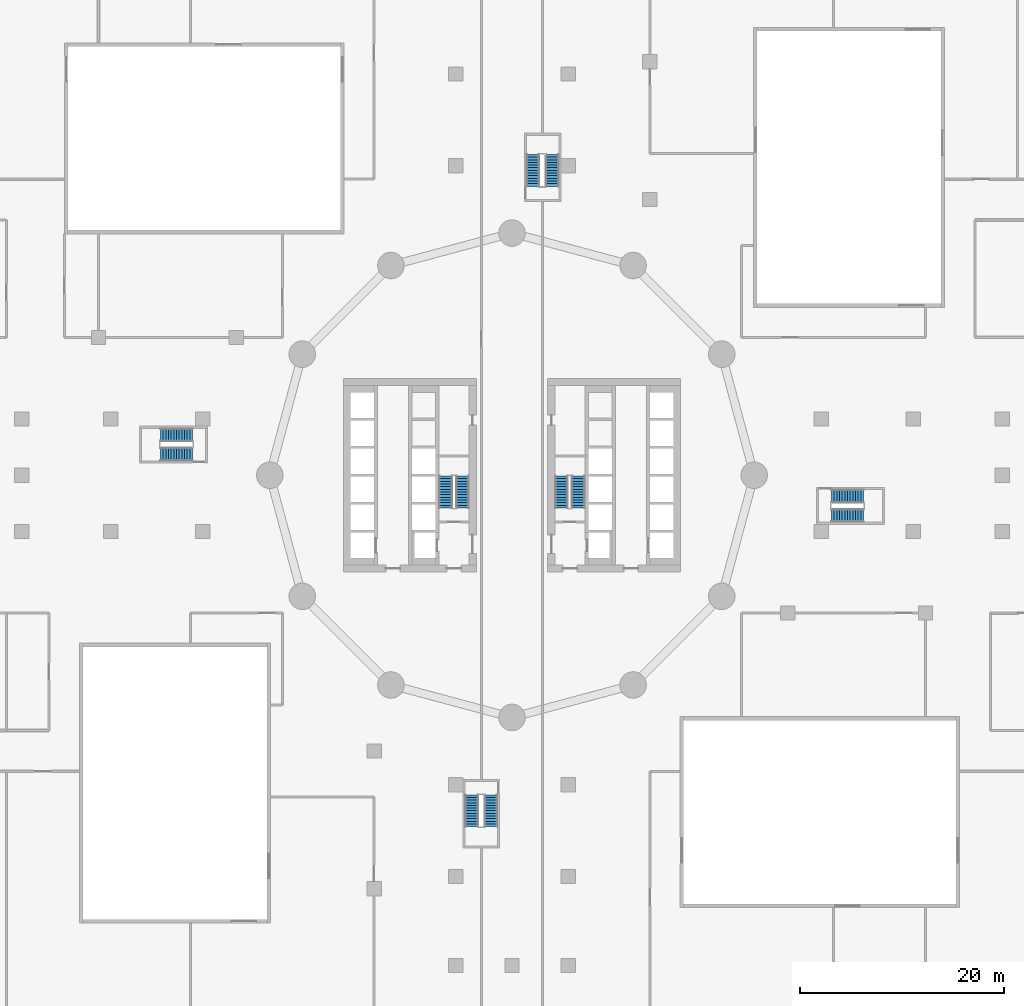
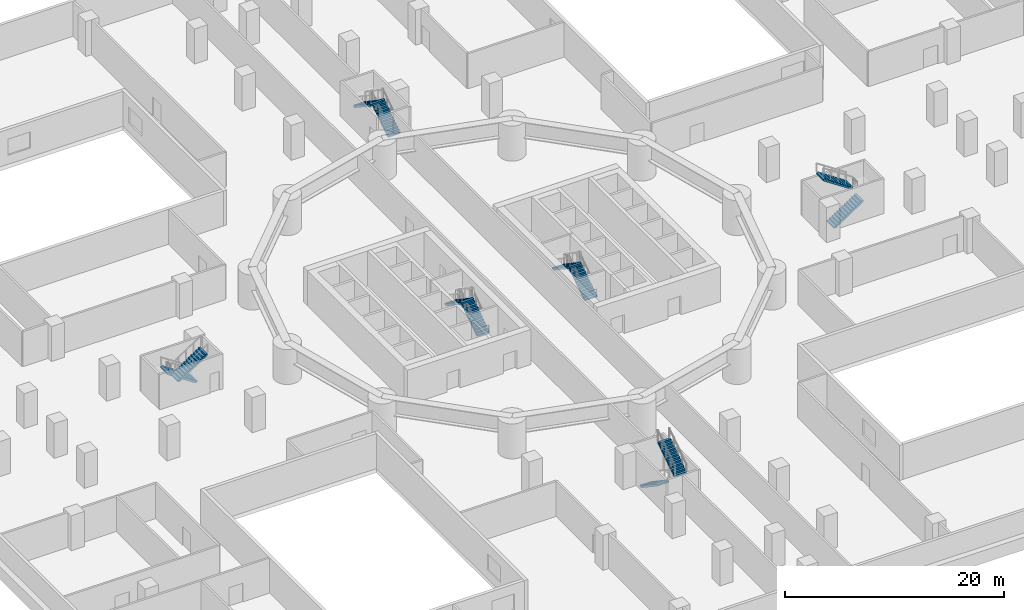
# One storey, part 12 of 16: 12 stair flights, 6 elements without a shape of their own.
"""IFC4 building model written with IfcOpenShell, lengths in metres."""

import ifcopenshell
import ifcopenshell.guid

model = None  # the IFC model being written
_history = None  # IfcOwnerHistory: only IFC2X3 demands one
_inside = {}  # id of a spatial element -> (the spatial element, [elements in it])
_under = {}  # id of a project, library or spatial element -> (it, [spatial elements below it])
_declared = {}  # id of a project -> (the project, [libraries it declares])
_typed = {}  # id of a type object -> (the type object, [elements of that type])
_made_of = {}  # id of a material, layer set ... -> (it, [elements and type objects made of it])


def new_model(schema):
    """Start an empty IFC model of exactly this schema.

    Asked for "IFC4X3", IfcOpenShell would pick the latest addendum, in which some entities
    have other attributes; the version numbers below select the first issue.
    IFC2X3 requires an IfcOwnerHistory on every rooted entity: one is made here for all.
    """
    global model, _history
    if schema == "IFC4X3":
        model = ifcopenshell.file(schema_version=(4, 3, 0, 0))
    else:
        model = ifcopenshell.file(schema=schema)
    _inside.clear()
    _under.clear()
    _declared.clear()
    _typed.clear()
    _made_of.clear()
    _history = None
    if model.schema == "IFC2X3":
        org = make("IfcOrganization", Name="unknown")
        user = make(
            "IfcPersonAndOrganization",
            ThePerson=make("IfcPerson", FamilyName="unknown"),
            TheOrganization=org,
        )
        app = make(
            "IfcApplication",
            ApplicationDeveloper=org,
            Version="unknown",
            ApplicationFullName="unknown",
            ApplicationIdentifier="unknown",
        )
        _history = make(
            "IfcOwnerHistory",
            OwningUser=user,
            OwningApplication=app,
            ChangeAction="ADDED",
            CreationDate=0,
        )
    return model


def make(cls, **values):
    """One entity of the class cls with the attributes given. An attribute that is None is left unset."""
    return model.create_entity(
        cls, **{name: value for name, value in values.items() if value is not None}
    )


def rooted(cls, **values):
    """An entity with a GlobalId (a new one), such as an element, a storey or a relation."""
    return make(cls, GlobalId=ifcopenshell.guid.new(), OwnerHistory=_history, **values)


def si_unit(unit_type, name, prefix=None):
    """IfcSIUnit, for example si_unit("LENGTHUNIT", "METRE", prefix="MILLI")."""
    return make("IfcSIUnit", UnitType=unit_type, Prefix=prefix, Name=name)


def assignment(units):
    """IfcUnitAssignment: the units of a project."""
    return None if units is None else make("IfcUnitAssignment", Units=units)


def point(xyz):
    """IfcCartesianPoint."""
    return None if xyz is None else make("IfcCartesianPoint", Coordinates=xyz)


def direction(xyz):
    """IfcDirection."""
    return None if xyz is None else make("IfcDirection", DirectionRatios=xyz)


def frame(location, z_axis=None, x_axis=None):
    """IfcAxis2Placement3D, a coordinate frame: its origin and axes. An axis left out is left unset."""
    return make(
        "IfcAxis2Placement3D",
        Location=point(location),
        Axis=direction(z_axis),
        RefDirection=direction(x_axis),
    )


def origin():
    """The frame at (0, 0, 0) with its axes left unset."""
    return frame((0.0, 0.0, 0.0))


def place(relative_to, where):
    """IfcLocalPlacement: puts the frame where relative to a parent placement (None: the world)."""
    return make(
        "IfcLocalPlacement", PlacementRelTo=relative_to, RelativePlacement=where
    )


def context(
    kind, dimensions, precision=None, world=None, true_north=None, identifier=None
):
    """IfcGeometricRepresentationContext, for example the 3D "Model" context."""
    return make(
        "IfcGeometricRepresentationContext",
        ContextIdentifier=identifier,
        ContextType=kind,
        CoordinateSpaceDimension=dimensions,
        Precision=precision,
        WorldCoordinateSystem=world,
        TrueNorth=true_north,
    )


def subcontext(parent, identifier, kind, view, scale=None):
    """IfcGeometricRepresentationSubContext, for example "Body" below "Model"."""
    return make(
        "IfcGeometricRepresentationSubContext",
        ContextIdentifier=identifier,
        ContextType=kind,
        ParentContext=parent,
        TargetScale=scale,
        TargetView=view,
    )


def project(units=None, contexts=None):
    """IfcProject with its units and contexts."""
    return rooted(
        "IfcProject",
        Name="project",
        RepresentationContexts=contexts,
        UnitsInContext=assignment(units),
    )


def spatial(cls, under=None, at=None, **own):
    """A site, building, storey or space (cls), placed at a placement, below another one or the project."""
    s = rooted(cls, ObjectPlacement=at, **own)
    if under is not None:
        _under.setdefault(under.id(), (under, []))[1].append(s)
    return s


def polyline(points):
    """IfcPolyline through the points."""
    return make("IfcPolyline", Points=[point(p) for p in points])


def outline(outer, holes=None, kind="AREA"):
    """IfcArbitraryClosedProfileDef: a profile drawn as a closed curve; with holes, ...WithVoids."""
    if holes is None:
        return make("IfcArbitraryClosedProfileDef", ProfileType=kind, OuterCurve=outer)
    return make(
        "IfcArbitraryProfileDefWithVoids",
        ProfileType=kind,
        OuterCurve=outer,
        InnerCurves=holes,
    )


def extrude(swept, where, along, depth):
    """IfcExtrudedAreaSolid: the profile swept, set in the frame where, extruded along a direction by depth."""
    return make(
        "IfcExtrudedAreaSolid",
        SweptArea=swept,
        Position=where,
        ExtrudedDirection=direction(along),
        Depth=depth,
    )


def shape(context_of_items, identifier, shape_type, items):
    """IfcShapeRepresentation: the items that make up one representation, for example the "Body"."""
    return make(
        "IfcShapeRepresentation",
        ContextOfItems=context_of_items,
        RepresentationIdentifier=identifier,
        RepresentationType=shape_type,
        Items=items,
    )


def material(Name=None, Category=None):
    """IfcMaterial."""
    return make("IfcMaterial", Name=Name, Category=Category)


def made_of(thing, what):
    """Note that an element or type object is made of a material, layer set ...; save() writes the relation."""
    if what is not None:
        _made_of.setdefault(what.id(), (what, []))[1].append(thing)
    return thing


def type_object(cls, material=None, **own):
    """A type object (cls), such as IfcWallType, which elements share."""
    return made_of(rooted(cls, **own), material)


def element(
    cls,
    number,
    at=None,
    inside=None,
    cuts=None,
    type_object=None,
    material=None,
    context=None,
    identifier="Body",
    shape_type=None,
    held_by="IfcProductDefinitionShape",
    body=None,
    shapes=None,
    **own,
):
    """One element of the class cls, such as IfcWall. Its Tag is "e" and its number.

    at: its placement. inside: the storey or other place that contains it. cuts: it is an
    opening in that element (IfcRelVoidsElement). A single representation is given by context,
    identifier, shape_type and body (its items); several are given by shapes. held_by: the class
    of the entity that holds the representations. save() writes the other relations.
    """
    e = rooted(cls, Tag="e%d" % number, ObjectPlacement=at, **own)
    if body is not None:
        shapes = [shape(context, identifier, shape_type, body)]
    if shapes is not None:
        e.Representation = make(held_by, Representations=shapes)
    if inside is not None:
        _inside.setdefault(inside.id(), (inside, []))[1].append(e)
    if cuts is not None:
        rooted(
            "IfcRelVoidsElement", RelatingBuildingElement=cuts, RelatedOpeningElement=e
        )
    if type_object is not None:
        _typed.setdefault(type_object.id(), (type_object, []))[1].append(e)
    return made_of(e, material)


def aggregate(whole, parts):
    """IfcRelAggregates: a whole, such as a stair, and the parts it consists of."""
    return rooted("IfcRelAggregates", RelatingObject=whole, RelatedObjects=parts)


def save(model, path):
    """Write the relations noted so far, then the file.

    IfcRelAggregates (storeys below a building ...), IfcRelContainedInSpatialStructure (elements
    in a storey), IfcRelDefinesByType, IfcRelAssociatesMaterial and IfcRelDeclares: one each for
    every whole, place, type object, material and project.
    """
    for whole, parts in _under.values():
        aggregate(whole, parts)
    for where, things in _inside.values():
        rooted(
            "IfcRelContainedInSpatialStructure",
            RelatedElements=things,
            RelatingStructure=where,
        )
    for kind, things in _typed.values():
        rooted("IfcRelDefinesByType", RelatedObjects=things, RelatingType=kind)
    for what, things in _made_of.values():
        rooted("IfcRelAssociatesMaterial", RelatedObjects=things, RelatingMaterial=what)
    for by, libraries in _declared.values():
        rooted("IfcRelDeclares", RelatingContext=by, RelatedDefinitions=libraries)
    model.write(path)


model = new_model("IFC4")

# Units and contexts
model_context = context("Model", 3, precision=1e-05, world=origin(), true_north=direction((0.0, 1.0)))
body_context = subcontext(model_context, "Body", "Model", "MODEL_VIEW")
ifc_project = project(units=[si_unit("LENGTHUNIT", "METRE"), si_unit("AREAUNIT", "SQUARE_METRE"), si_unit("VOLUMEUNIT", "CUBIC_METRE"), si_unit("PLANEANGLEUNIT", "RADIAN"), si_unit("MASSUNIT", "GRAM", prefix="KILO")], contexts=[model_context])

# Site, building, storey
site_placement = place(None, origin())
site = spatial("IfcSite", under=ifc_project, at=site_placement, CompositionType="ELEMENT")
building_placement = place(site_placement, origin())
building = spatial("IfcBuilding", under=site, at=building_placement, Name="Tamarind Cross Interchange Tower", CompositionType="ELEMENT")
storey_placement = place(building_placement, frame((0.0, 0.0, 25.0)))
storey = spatial("IfcBuildingStorey", under=building, at=storey_placement, Name="L04", CompositionType="ELEMENT", Elevation=25.0)

# Stair, stair flights
ifc_material_1 = material(Name="Exit stair")
stair_type = type_object("IfcStairType", Name="Exit stair", PredefinedType="HALF_TURN_STAIR", material=ifc_material_1)
stair_1_placement = place(storey_placement, origin())
stair_1 = element("IfcStair", 1, at=stair_1_placement, inside=storey, type_object=stair_type, Name="L04 exit stair ST1", PredefinedType="HALF_TURN_STAIR")
ifc_material_2 = material(Name="Exit stair flight")
stair_flight_type = type_object("IfcStairFlightType", Name="Exit stair flight", PredefinedType="STRAIGHT", material=ifc_material_2)
stair_flight_1_placement = place(storey_placement, frame((-4.85009765625, -3.199951171875, 0.0), z_axis=(0.0, 0.0, 1.0), x_axis=(0.0, 1.0, 0.0)))
stair_flight_1 = element("IfcStairFlight", 2, at=stair_flight_1_placement, type_object=stair_flight_type, Name="ST1 flight 1", NumberOfRisers=13, NumberOfTreads=12, PredefinedType="STRAIGHT", RiserHeight=0.173076923, TreadLength=0.26, context=body_context, shape_type="SweptSolid", body=[
    extrude(outline(polyline([(0.0, 0.0), (0.0, 0.173095703125), (0.260009765625, 0.173095703125), (0.260009765625, 0.34619140625), (0.52001953125, 0.34619140625), (0.52001953125, 0.519287109375), (0.780029296875, 0.519287109375), (0.780029296875, 0.6923828125), (1.0400390625, 0.6923828125), (1.0400390625, 0.865478515625), (1.300048828125, 0.865478515625), (1.300048828125, 1.03857421875), (1.56005859375, 1.03857421875), (1.56005859375, 1.21142578125), (1.820068359375, 1.21142578125), (1.820068359375, 1.384521484375), (2.080078125, 1.384521484375), (2.080078125, 1.5576171875), (2.340087890625, 1.5576171875), (2.340087890625, 1.730712890625), (2.60009765625, 1.730712890625), (2.60009765625, 1.90380859375), (2.860107421875, 1.90380859375), (2.860107421875, 2.076904296875), (3.1201171875, 2.076904296875), (3.1201171875, 2.25), (3.1201171875, 1.896728515625), (0.2705078125, 0.0), (0.0, 0.0)])), frame((0.0, 0.64990234375, 0.0), z_axis=(0.0, -1.0, 0.0), x_axis=(1.0, 0.0, 0.0)), (0.0, 0.0, 1.0), 1.300048828125),
])
stair_flight_2_placement = place(storey_placement, frame((-6.5, -0.080078125, 2.25), z_axis=(0.0, 0.0, 1.0), x_axis=(0.0, -1.0, 0.0)))
stair_flight_2 = element("IfcStairFlight", 3, at=stair_flight_2_placement, type_object=stair_flight_type, Name="ST1 flight 2", NumberOfRisers=13, NumberOfTreads=12, PredefinedType="STRAIGHT", RiserHeight=0.173076923, TreadLength=0.26, context=body_context, shape_type="SweptSolid", body=[
    extrude(outline(polyline([(0.0, 0.0), (0.0, 0.173095703125), (0.260009765625, 0.173095703125), (0.260009765625, 0.34619140625), (0.52001953125, 0.34619140625), (0.52001953125, 0.519287109375), (0.780029296875, 0.519287109375), (0.780029296875, 0.6923828125), (1.0400390625, 0.6923828125), (1.0400390625, 0.865478515625), (1.300048828125, 0.865478515625), (1.300048828125, 1.03857421875), (1.56005859375, 1.03857421875), (1.56005859375, 1.21142578125), (1.820068359375, 1.21142578125), (1.820068359375, 1.384521484375), (2.080078125, 1.384521484375), (2.080078125, 1.5576171875), (2.340087890625, 1.5576171875), (2.340087890625, 1.730712890625), (2.60009765625, 1.730712890625), (2.60009765625, 1.90380859375), (2.860107421875, 1.90380859375), (2.860107421875, 2.076904296875), (3.1201171875, 2.076904296875), (3.1201171875, 2.25), (3.1201171875, 1.896728515625), (0.2705078125, 0.0), (0.0, 0.0)])), frame((0.0, 0.64990234375, 0.0), z_axis=(0.0, -1.0, 0.0), x_axis=(1.0, 0.0, 0.0)), (0.0, 0.0, 1.0), 1.300048828125),
])
aggregate(stair_1, [stair_flight_1, stair_flight_2])

stair_2_placement = place(storey_placement, origin())
stair_2 = element("IfcStair", 4, at=stair_2_placement, inside=storey, type_object=stair_type, Name="L04 exit stair ST2", PredefinedType="HALF_TURN_STAIR")
stair_flight_3_placement = place(storey_placement, frame((6.5, -3.199951171875, 0.0), z_axis=(0.0, 0.0, 1.0), x_axis=(0.0, 1.0, 0.0)))
stair_flight_3 = element("IfcStairFlight", 5, at=stair_flight_3_placement, type_object=stair_flight_type, Name="ST2 flight 1", NumberOfRisers=13, NumberOfTreads=12, PredefinedType="STRAIGHT", RiserHeight=0.173076923, TreadLength=0.26, context=body_context, shape_type="SweptSolid", body=[
    extrude(outline(polyline([(0.0, 0.0), (0.0, 0.173095703125), (0.260009765625, 0.173095703125), (0.260009765625, 0.34619140625), (0.52001953125, 0.34619140625), (0.52001953125, 0.519287109375), (0.780029296875, 0.519287109375), (0.780029296875, 0.6923828125), (1.0400390625, 0.6923828125), (1.0400390625, 0.865478515625), (1.300048828125, 0.865478515625), (1.300048828125, 1.03857421875), (1.56005859375, 1.03857421875), (1.56005859375, 1.21142578125), (1.820068359375, 1.21142578125), (1.820068359375, 1.384521484375), (2.080078125, 1.384521484375), (2.080078125, 1.5576171875), (2.340087890625, 1.5576171875), (2.340087890625, 1.730712890625), (2.60009765625, 1.730712890625), (2.60009765625, 1.90380859375), (2.860107421875, 1.90380859375), (2.860107421875, 2.076904296875), (3.1201171875, 2.076904296875), (3.1201171875, 2.25), (3.1201171875, 1.896728515625), (0.2705078125, 0.0), (0.0, 0.0)])), frame((0.0, 0.64990234375, 0.0), z_axis=(0.0, -1.0, 0.0), x_axis=(1.0, 0.0, 0.0)), (0.0, 0.0, 1.0), 1.300048828125),
])
stair_flight_4_placement = place(storey_placement, frame((4.85009765625, -0.080078125, 2.25), z_axis=(0.0, 0.0, 1.0), x_axis=(0.0, -1.0, 0.0)))
stair_flight_4 = element("IfcStairFlight", 6, at=stair_flight_4_placement, type_object=stair_flight_type, Name="ST2 flight 2", NumberOfRisers=13, NumberOfTreads=12, PredefinedType="STRAIGHT", RiserHeight=0.173076923, TreadLength=0.26, context=body_context, shape_type="SweptSolid", body=[
    extrude(outline(polyline([(0.0, 0.0), (0.0, 0.173095703125), (0.260009765625, 0.173095703125), (0.260009765625, 0.34619140625), (0.52001953125, 0.34619140625), (0.52001953125, 0.519287109375), (0.780029296875, 0.519287109375), (0.780029296875, 0.6923828125), (1.0400390625, 0.6923828125), (1.0400390625, 0.865478515625), (1.300048828125, 0.865478515625), (1.300048828125, 1.03857421875), (1.56005859375, 1.03857421875), (1.56005859375, 1.21142578125), (1.820068359375, 1.21142578125), (1.820068359375, 1.384521484375), (2.080078125, 1.384521484375), (2.080078125, 1.5576171875), (2.340087890625, 1.5576171875), (2.340087890625, 1.730712890625), (2.60009765625, 1.730712890625), (2.60009765625, 1.90380859375), (2.860107421875, 1.90380859375), (2.860107421875, 2.076904296875), (3.1201171875, 2.076904296875), (3.1201171875, 2.25), (3.1201171875, 1.896728515625), (0.2705078125, 0.0), (0.0, 0.0)])), frame((0.0, 0.64990234375, 0.0), z_axis=(0.0, -1.0, 0.0), x_axis=(1.0, 0.0, 0.0)), (0.0, 0.0, 1.0), 1.300048828125),
])
aggregate(stair_2, [stair_flight_3, stair_flight_4])

stair_3_placement = place(storey_placement, origin())
stair_3 = element("IfcStair", 7, at=stair_3_placement, inside=storey, type_object=stair_type, Name="L04 exit stair ST3", PredefinedType="HALF_TURN_STAIR")
stair_flight_5_placement = place(storey_placement, frame((31.300048828125, -3.949951171875, 0.0), z_axis=(0.0, 0.0, 1.0), x_axis=(1.0, 0.0, 0.0)))
stair_flight_5 = element("IfcStairFlight", 8, at=stair_flight_5_placement, type_object=stair_flight_type, Name="ST3 flight 1", NumberOfRisers=13, NumberOfTreads=12, PredefinedType="STRAIGHT", RiserHeight=0.173076923, TreadLength=0.26, context=body_context, shape_type="SweptSolid", body=[
    extrude(outline(polyline([(0.0, 0.0), (0.0, 0.173095703125), (0.260009765625, 0.173095703125), (0.260009765625, 0.34619140625), (0.52001953125, 0.34619140625), (0.52001953125, 0.519287109375), (0.780029296875, 0.519287109375), (0.780029296875, 0.6923828125), (1.0400390625, 0.6923828125), (1.0400390625, 0.865478515625), (1.300048828125, 0.865478515625), (1.300048828125, 1.03857421875), (1.56005859375, 1.03857421875), (1.56005859375, 1.21142578125), (1.820068359375, 1.21142578125), (1.820068359375, 1.384521484375), (2.080078125, 1.384521484375), (2.080078125, 1.5576171875), (2.340087890625, 1.5576171875), (2.340087890625, 1.730712890625), (2.60009765625, 1.730712890625), (2.60009765625, 1.90380859375), (2.860107421875, 1.90380859375), (2.860107421875, 2.076904296875), (3.1201171875, 2.076904296875), (3.1201171875, 2.25), (3.1201171875, 1.896728515625), (0.2705078125, 0.0), (0.0, 0.0)])), frame((0.0, 0.64990234375, 0.0), z_axis=(0.0, -1.0, 0.0), x_axis=(1.0, 0.0, 0.0)), (0.0, 0.0, 1.0), 1.300048828125),
])
stair_flight_6_placement = place(storey_placement, frame((34.419921875, -2.050048828125, 2.25), z_axis=(0.0, 0.0, 1.0), x_axis=(-1.0, 0.0, 0.0)))
stair_flight_6 = element("IfcStairFlight", 9, at=stair_flight_6_placement, type_object=stair_flight_type, Name="ST3 flight 2", NumberOfRisers=13, NumberOfTreads=12, PredefinedType="STRAIGHT", RiserHeight=0.173076923, TreadLength=0.26, context=body_context, shape_type="SweptSolid", body=[
    extrude(outline(polyline([(0.0, 0.0), (0.0, 0.173095703125), (0.260009765625, 0.173095703125), (0.260009765625, 0.34619140625), (0.52001953125, 0.34619140625), (0.52001953125, 0.519287109375), (0.780029296875, 0.519287109375), (0.780029296875, 0.6923828125), (1.0400390625, 0.6923828125), (1.0400390625, 0.865478515625), (1.300048828125, 0.865478515625), (1.300048828125, 1.03857421875), (1.56005859375, 1.03857421875), (1.56005859375, 1.21142578125), (1.820068359375, 1.21142578125), (1.820068359375, 1.384521484375), (2.080078125, 1.384521484375), (2.080078125, 1.5576171875), (2.340087890625, 1.5576171875), (2.340087890625, 1.730712890625), (2.60009765625, 1.730712890625), (2.60009765625, 1.90380859375), (2.860107421875, 1.90380859375), (2.860107421875, 2.076904296875), (3.1201171875, 2.076904296875), (3.1201171875, 2.25), (3.1201171875, 1.896728515625), (0.2705078125, 0.0), (0.0, 0.0)])), frame((0.0, 0.64990234375, 0.0), z_axis=(0.0, -1.0, 0.0), x_axis=(1.0, 0.0, 0.0)), (0.0, 0.0, 1.0), 1.300048828125),
])
aggregate(stair_3, [stair_flight_5, stair_flight_6])

stair_4_placement = place(storey_placement, origin())
stair_4 = element("IfcStair", 10, at=stair_4_placement, inside=storey, type_object=stair_type, Name="L04 exit stair ST4", PredefinedType="HALF_TURN_STAIR")
stair_flight_7_placement = place(storey_placement, frame((3.949951171875, 28.300048828125, 0.0), z_axis=(0.0, 0.0, 1.0), x_axis=(0.0, 1.0, 0.0)))
stair_flight_7 = element("IfcStairFlight", 11, at=stair_flight_7_placement, type_object=stair_flight_type, Name="ST4 flight 1", NumberOfRisers=13, NumberOfTreads=12, PredefinedType="STRAIGHT", RiserHeight=0.173076923, TreadLength=0.26, context=body_context, shape_type="SweptSolid", body=[
    extrude(outline(polyline([(0.0, 0.0), (0.0, 0.173095703125), (0.260009765625, 0.173095703125), (0.260009765625, 0.34619140625), (0.52001953125, 0.34619140625), (0.52001953125, 0.519287109375), (0.780029296875, 0.519287109375), (0.780029296875, 0.6923828125), (1.0400390625, 0.6923828125), (1.0400390625, 0.865478515625), (1.300048828125, 0.865478515625), (1.300048828125, 1.03857421875), (1.56005859375, 1.03857421875), (1.56005859375, 1.21142578125), (1.820068359375, 1.21142578125), (1.820068359375, 1.384521484375), (2.080078125, 1.384521484375), (2.080078125, 1.5576171875), (2.340087890625, 1.5576171875), (2.340087890625, 1.730712890625), (2.60009765625, 1.730712890625), (2.60009765625, 1.90380859375), (2.860107421875, 1.90380859375), (2.860107421875, 2.076904296875), (3.1201171875, 2.076904296875), (3.1201171875, 2.25), (3.1201171875, 1.896728515625), (0.2705078125, 0.0), (0.0, 0.0)])), frame((0.0, 0.64990234375, 0.0), z_axis=(0.0, -1.0, 0.0), x_axis=(1.0, 0.0, 0.0)), (0.0, 0.0, 1.0), 1.300048828125),
])
stair_flight_8_placement = place(storey_placement, frame((2.050048828125, 31.419921875, 2.25), z_axis=(0.0, 0.0, 1.0), x_axis=(0.0, -1.0, 0.0)))
stair_flight_8 = element("IfcStairFlight", 12, at=stair_flight_8_placement, type_object=stair_flight_type, Name="ST4 flight 2", NumberOfRisers=13, NumberOfTreads=12, PredefinedType="STRAIGHT", RiserHeight=0.173076923, TreadLength=0.26, context=body_context, shape_type="SweptSolid", body=[
    extrude(outline(polyline([(0.0, 0.0), (0.0, 0.173095703125), (0.260009765625, 0.173095703125), (0.260009765625, 0.34619140625), (0.52001953125, 0.34619140625), (0.52001953125, 0.519287109375), (0.780029296875, 0.519287109375), (0.780029296875, 0.6923828125), (1.0400390625, 0.6923828125), (1.0400390625, 0.865478515625), (1.300048828125, 0.865478515625), (1.300048828125, 1.03857421875), (1.56005859375, 1.03857421875), (1.56005859375, 1.21142578125), (1.820068359375, 1.21142578125), (1.820068359375, 1.384521484375), (2.080078125, 1.384521484375), (2.080078125, 1.5576171875), (2.340087890625, 1.5576171875), (2.340087890625, 1.730712890625), (2.60009765625, 1.730712890625), (2.60009765625, 1.90380859375), (2.860107421875, 1.90380859375), (2.860107421875, 2.076904296875), (3.1201171875, 2.076904296875), (3.1201171875, 2.25), (3.1201171875, 1.896728515625), (0.2705078125, 0.0), (0.0, 0.0)])), frame((0.0, 0.64990234375, 0.0), z_axis=(0.0, -1.0, 0.0), x_axis=(1.0, 0.0, 0.0)), (0.0, 0.0, 1.0), 1.300048828125),
])
aggregate(stair_4, [stair_flight_7, stair_flight_8])

stair_5_placement = place(storey_placement, origin())
stair_5 = element("IfcStair", 13, at=stair_5_placement, inside=storey, type_object=stair_type, Name="L04 exit stair ST5", PredefinedType="HALF_TURN_STAIR")
stair_flight_9_placement = place(storey_placement, frame((-31.300048828125, 3.949951171875, 0.0), z_axis=(0.0, 0.0, 1.0), x_axis=(-1.0, 0.0, 0.0)))
stair_flight_9 = element("IfcStairFlight", 14, at=stair_flight_9_placement, type_object=stair_flight_type, Name="ST5 flight 1", NumberOfRisers=13, NumberOfTreads=12, PredefinedType="STRAIGHT", RiserHeight=0.173076923, TreadLength=0.26, context=body_context, shape_type="SweptSolid", body=[
    extrude(outline(polyline([(0.0, 0.0), (0.0, 0.173095703125), (0.260009765625, 0.173095703125), (0.260009765625, 0.34619140625), (0.52001953125, 0.34619140625), (0.52001953125, 0.519287109375), (0.780029296875, 0.519287109375), (0.780029296875, 0.6923828125), (1.0400390625, 0.6923828125), (1.0400390625, 0.865478515625), (1.300048828125, 0.865478515625), (1.300048828125, 1.03857421875), (1.56005859375, 1.03857421875), (1.56005859375, 1.21142578125), (1.820068359375, 1.21142578125), (1.820068359375, 1.384521484375), (2.080078125, 1.384521484375), (2.080078125, 1.5576171875), (2.340087890625, 1.5576171875), (2.340087890625, 1.730712890625), (2.60009765625, 1.730712890625), (2.60009765625, 1.90380859375), (2.860107421875, 1.90380859375), (2.860107421875, 2.076904296875), (3.1201171875, 2.076904296875), (3.1201171875, 2.25), (3.1201171875, 1.896728515625), (0.2705078125, 0.0), (0.0, 0.0)])), frame((0.0, 0.64990234375, 0.0), z_axis=(0.0, -1.0, 0.0), x_axis=(1.0, 0.0, 0.0)), (0.0, 0.0, 1.0), 1.300048828125),
])
stair_flight_10_placement = place(storey_placement, frame((-34.419921875, 2.050048828125, 2.25), z_axis=(0.0, 0.0, 1.0), x_axis=(1.0, 0.0, 0.0)))
stair_flight_10 = element("IfcStairFlight", 15, at=stair_flight_10_placement, type_object=stair_flight_type, Name="ST5 flight 2", NumberOfRisers=13, NumberOfTreads=12, PredefinedType="STRAIGHT", RiserHeight=0.173076923, TreadLength=0.26, context=body_context, shape_type="SweptSolid", body=[
    extrude(outline(polyline([(0.0, 0.0), (0.0, 0.173095703125), (0.260009765625, 0.173095703125), (0.260009765625, 0.34619140625), (0.52001953125, 0.34619140625), (0.52001953125, 0.519287109375), (0.780029296875, 0.519287109375), (0.780029296875, 0.6923828125), (1.0400390625, 0.6923828125), (1.0400390625, 0.865478515625), (1.300048828125, 0.865478515625), (1.300048828125, 1.03857421875), (1.56005859375, 1.03857421875), (1.56005859375, 1.21142578125), (1.820068359375, 1.21142578125), (1.820068359375, 1.384521484375), (2.080078125, 1.384521484375), (2.080078125, 1.5576171875), (2.340087890625, 1.5576171875), (2.340087890625, 1.730712890625), (2.60009765625, 1.730712890625), (2.60009765625, 1.90380859375), (2.860107421875, 1.90380859375), (2.860107421875, 2.076904296875), (3.1201171875, 2.076904296875), (3.1201171875, 2.25), (3.1201171875, 1.896728515625), (0.2705078125, 0.0), (0.0, 0.0)])), frame((0.0, 0.64990234375, 0.0), z_axis=(0.0, -1.0, 0.0), x_axis=(1.0, 0.0, 0.0)), (0.0, 0.0, 1.0), 1.300048828125),
])
aggregate(stair_5, [stair_flight_9, stair_flight_10])

stair_6_placement = place(storey_placement, origin())
stair_6 = element("IfcStair", 16, at=stair_6_placement, inside=storey, type_object=stair_type, Name="L04 exit stair ST6", PredefinedType="HALF_TURN_STAIR")
stair_flight_11_placement = place(storey_placement, frame((-3.949951171875, -31.300048828125, 0.0), z_axis=(0.0, 0.0, 1.0), x_axis=(0.0, -1.0, 0.0)))
stair_flight_11 = element("IfcStairFlight", 17, at=stair_flight_11_placement, type_object=stair_flight_type, Name="ST6 flight 1", NumberOfRisers=13, NumberOfTreads=12, PredefinedType="STRAIGHT", RiserHeight=0.173076923, TreadLength=0.26, context=body_context, shape_type="SweptSolid", body=[
    extrude(outline(polyline([(0.0, 0.0), (0.0, 0.173095703125), (0.260009765625, 0.173095703125), (0.260009765625, 0.34619140625), (0.52001953125, 0.34619140625), (0.52001953125, 0.519287109375), (0.780029296875, 0.519287109375), (0.780029296875, 0.6923828125), (1.0400390625, 0.6923828125), (1.0400390625, 0.865478515625), (1.300048828125, 0.865478515625), (1.300048828125, 1.03857421875), (1.56005859375, 1.03857421875), (1.56005859375, 1.21142578125), (1.820068359375, 1.21142578125), (1.820068359375, 1.384521484375), (2.080078125, 1.384521484375), (2.080078125, 1.5576171875), (2.340087890625, 1.5576171875), (2.340087890625, 1.730712890625), (2.60009765625, 1.730712890625), (2.60009765625, 1.90380859375), (2.860107421875, 1.90380859375), (2.860107421875, 2.076904296875), (3.1201171875, 2.076904296875), (3.1201171875, 2.25), (3.1201171875, 1.896728515625), (0.2705078125, 0.0), (0.0, 0.0)])), frame((0.0, 0.64990234375, 0.0), z_axis=(0.0, -1.0, 0.0), x_axis=(1.0, 0.0, 0.0)), (0.0, 0.0, 1.0), 1.300048828125),
])
stair_flight_12_placement = place(storey_placement, frame((-2.050048828125, -34.419921875, 2.25), z_axis=(0.0, 0.0, 1.0), x_axis=(0.0, 1.0, 0.0)))
stair_flight_12 = element("IfcStairFlight", 18, at=stair_flight_12_placement, type_object=stair_flight_type, Name="ST6 flight 2", NumberOfRisers=13, NumberOfTreads=12, PredefinedType="STRAIGHT", RiserHeight=0.173076923, TreadLength=0.26, context=body_context, shape_type="SweptSolid", body=[
    extrude(outline(polyline([(0.0, 0.0), (0.0, 0.173095703125), (0.260009765625, 0.173095703125), (0.260009765625, 0.34619140625), (0.52001953125, 0.34619140625), (0.52001953125, 0.519287109375), (0.780029296875, 0.519287109375), (0.780029296875, 0.6923828125), (1.0400390625, 0.6923828125), (1.0400390625, 0.865478515625), (1.300048828125, 0.865478515625), (1.300048828125, 1.03857421875), (1.56005859375, 1.03857421875), (1.56005859375, 1.21142578125), (1.820068359375, 1.21142578125), (1.820068359375, 1.384521484375), (2.080078125, 1.384521484375), (2.080078125, 1.5576171875), (2.340087890625, 1.5576171875), (2.340087890625, 1.730712890625), (2.60009765625, 1.730712890625), (2.60009765625, 1.90380859375), (2.860107421875, 1.90380859375), (2.860107421875, 2.076904296875), (3.1201171875, 2.076904296875), (3.1201171875, 2.25), (3.1201171875, 1.896728515625), (0.2705078125, 0.0), (0.0, 0.0)])), frame((0.0, 0.64990234375, 0.0), z_axis=(0.0, -1.0, 0.0), x_axis=(1.0, 0.0, 0.0)), (0.0, 0.0, 1.0), 1.300048828125),
])
aggregate(stair_6, [stair_flight_11, stair_flight_12])

save(model, "model.ifc")
